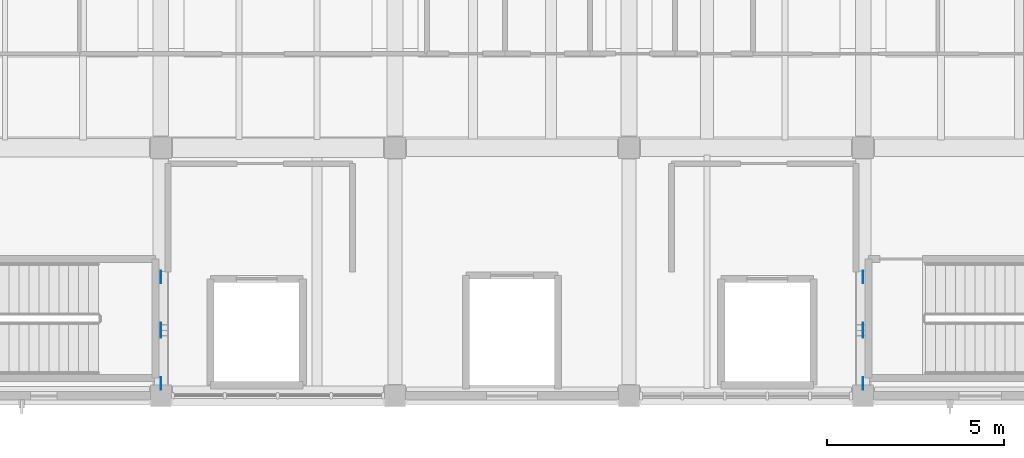
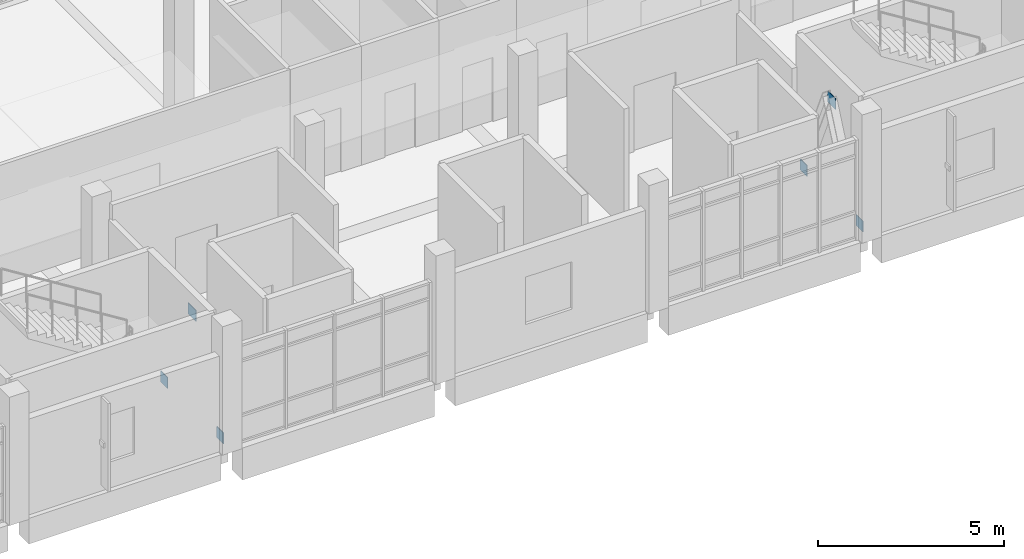
# One storey, part 8 of 14: 6 plates.
"""IFC4 building model written with IfcOpenShell, lengths in metres."""

from ifc_helpers import new_model, si_unit, direction, frame, origin, origin_2d, place, context, subcontext, project, spatial, rectangle, extrude, material, layer, layer_set, type_object, element, save


model = new_model("IFC4")

# Units and contexts
model_context = context("Model", 3, precision=1e-05, world=origin(), true_north=direction((0.0, 1.0)))
body_context = subcontext(model_context, "Body", "Model", "MODEL_VIEW")
ifc_project = project(units=[si_unit("LENGTHUNIT", "METRE"), si_unit("AREAUNIT", "SQUARE_METRE"), si_unit("VOLUMEUNIT", "CUBIC_METRE"), si_unit("PLANEANGLEUNIT", "RADIAN"), si_unit("MASSUNIT", "GRAM", prefix="KILO")], contexts=[model_context])

# Site, building, storey
site_placement = place(None, origin())
site = spatial("IfcSite", under=ifc_project, at=site_placement, CompositionType="ELEMENT")
building_placement = place(site_placement, origin())
building = spatial("IfcBuilding", under=site, at=building_placement, Name="Ciguamira Faculty of Natural Sciences", CompositionType="ELEMENT")
storey_placement = place(building_placement, frame((0.0, 0.0, 29.39990234375)))
storey = spatial("IfcBuildingStorey", under=building, at=storey_placement, Name="L07", CompositionType="ELEMENT", Elevation=29.39990234375)

# Plates
ifc_material = material(Name="Steel ASTM A572 Grade 50", Category="steel")
ifc_layer = layer(ifc_material, 0.02001953125, Name="Steel ASTM A572 Grade 50")
ifc_layer_set = layer_set([ifc_layer], Name="Steel ASTM A572 Grade 50")
plate_type = type_object("IfcPlateType", Name="GussetPlate_EP-02", PredefinedType="SHEET", material=ifc_layer_set)
plate_1_placement = place(storey_placement, frame((77.10009765625, 95.85009765625, 3.10009765625), z_axis=(0.0, 0.0, 1.0), x_axis=(1.0, 0.0, 0.0)))
element("IfcPlate", 1, at=plate_1_placement, inside=storey, type_object=plate_type, Name="L07 chevron brace apex gusset plate 017", PredefinedType="SHEET", context=body_context, shape_type="SweptSolid", body=[
    extrude(rectangle(XDim=0.02001953125, YDim=0.419921875, at=origin_2d()), origin(), (0.0, 0.0, 1.0), 0.360107421875),
])
for number, where, z_axis, x_axis, name in (
    (2, (77.10009765625, 94.35009765625, -0.02001953125), (0.0, 0.0, 1.0), (1.0, 0.0, 0.0), "L07 chevron brace base gusset plate 033"),
    (3, (77.10009765625, 97.35009765625, -0.02001953125), (0.0, 0.0, 1.0), (1.0, 0.0, 0.0), "L07 chevron brace base gusset plate 034"),
):
    element("IfcPlate", number, at=place(storey_placement, frame(where, z_axis=z_axis, x_axis=x_axis)), inside=storey, type_object=plate_type, Name=name, PredefinedType="SHEET", context=body_context, shape_type="SweptSolid", body=[
        extrude(rectangle(XDim=0.02001953125, YDim=0.360107421875, at=origin_2d()), origin(), (0.0, 0.0, 1.0), 0.360107421875),
    ])
plate_2_placement = place(storey_placement, frame((96.89990234375, 95.85009765625, 3.10009765625), z_axis=(0.0, 0.0, 1.0), x_axis=(1.0, 0.0, 0.0)))
element("IfcPlate", 4, at=plate_2_placement, inside=storey, type_object=plate_type, Name="L07 chevron brace apex gusset plate 018", PredefinedType="SHEET", context=body_context, shape_type="SweptSolid", body=[
    extrude(rectangle(XDim=0.02001953125, YDim=0.419921875, at=origin_2d()), origin(), (0.0, 0.0, 1.0), 0.360107421875),
])
for number, where, z_axis, x_axis, name in (
    (5, (96.89990234375, 94.35009765625, -0.02001953125), (0.0, 0.0, 1.0), (1.0, 0.0, 0.0), "L07 chevron brace base gusset plate 035"),
    (6, (96.89990234375, 97.35009765625, -0.02001953125), (0.0, 0.0, 1.0), (1.0, 0.0, 0.0), "L07 chevron brace base gusset plate 036"),
):
    element("IfcPlate", number, at=place(storey_placement, frame(where, z_axis=z_axis, x_axis=x_axis)), inside=storey, type_object=plate_type, Name=name, PredefinedType="SHEET", context=body_context, shape_type="SweptSolid", body=[
        extrude(rectangle(XDim=0.02001953125, YDim=0.360107421875, at=origin_2d()), origin(), (0.0, 0.0, 1.0), 0.360107421875),
    ])

save(model, "model.ifc")
